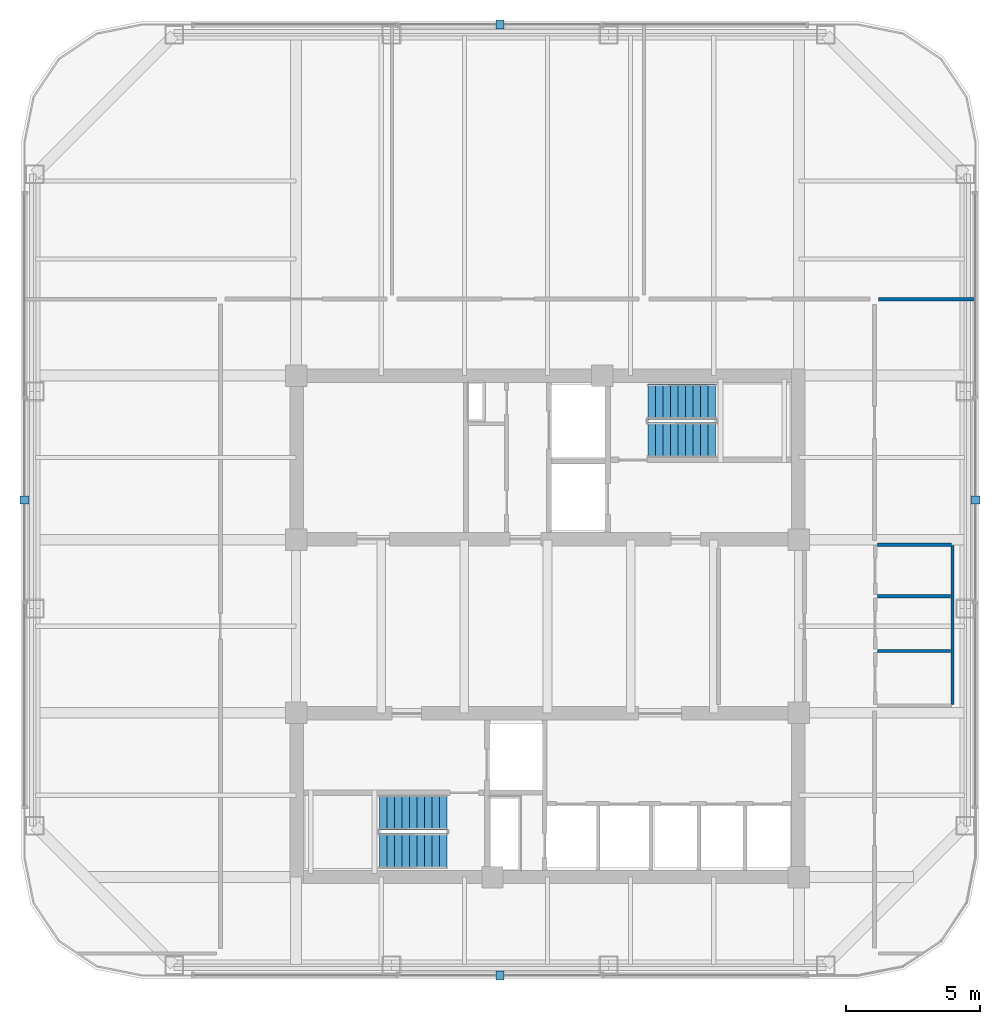
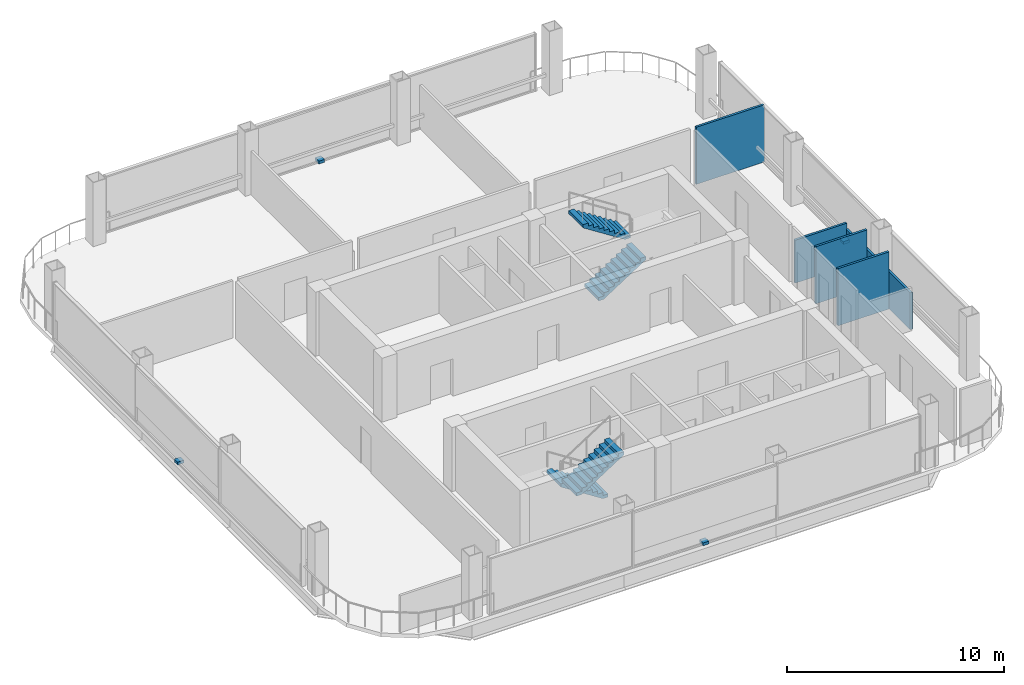
# One storey, part 16 of 19: 5 walls, 4 discrete accessories, 4 stair flights, 2 elements without a shape of their own.
"""IFC4 building model written with IfcOpenShell, lengths in metres."""

from ifc_helpers import new_model, si_unit, direction, frame, frame_2d, origin, origin_2d, place, context, subcontext, project, spatial, polyline, rectangle, outline, extrude, material, layer, layer_set, type_object, element, aggregate, save


model = new_model("IFC4")

# Units and contexts
model_context = context("Model", 3, precision=1e-05, world=origin(), true_north=direction((0.0, 1.0)))
body_context = subcontext(model_context, "Body", "Model", "MODEL_VIEW")
ifc_project = project(units=[si_unit("LENGTHUNIT", "METRE"), si_unit("AREAUNIT", "SQUARE_METRE"), si_unit("VOLUMEUNIT", "CUBIC_METRE"), si_unit("PLANEANGLEUNIT", "RADIAN"), si_unit("MASSUNIT", "GRAM", prefix="KILO")], contexts=[model_context])

# Site, building, storey
site_placement = place(None, origin())
site = spatial("IfcSite", under=ifc_project, at=site_placement, CompositionType="ELEMENT")
building_placement = place(site_placement, origin())
building = spatial("IfcBuilding", under=site, at=building_placement, Name="Qhalaya Broadcast Tower", CompositionType="ELEMENT")
storey_placement = place(building_placement, frame((0.0, 0.0, 148.199951171875)))
storey = spatial("IfcBuildingStorey", under=building, at=storey_placement, Name="L43", CompositionType="ELEMENT", Elevation=148.199951171875)

# Walls
ifc_material_1 = material(Name="Gypsum Acoustic Partition")
ifc_layer = layer(ifc_material_1, 0.1201171875, Name="Gypsum Acoustic Partition")
ifc_layer_set = layer_set([ifc_layer], Name="Gypsum Acoustic Partition")
wall_type = type_object("IfcWallType", Name="Office, Booth & Sanitary Partition 120", PredefinedType="PARTITIONING", material=ifc_layer_set)
wall_1_placement = place(storey_placement, frame((15.10009765625, -2.320068359375, 0.0), z_axis=(0.0, 0.0, 1.0), x_axis=(0.0, 1.0, 0.0)))
element("IfcWall", 1, at=wall_1_placement, inside=storey, type_object=wall_type, Name="L43 Partition Wall W-WCE", PredefinedType="PARTITIONING", context=body_context, shape_type="SweptSolid", body=[
    extrude(rectangle(XDim=5.93017578125, YDim=0.1201171875, at=frame_2d((2.965087890625, 0.0))), origin(), (0.0, 0.0, 1.0), 2.08203125),
])
wall_2_placement = place(storey_placement, frame((12.31005859375, 3.639892578125, 0.0), z_axis=(0.0, 0.0, 1.0), x_axis=(1.0, 0.0, 0.0)))
element("IfcWall", 2, at=wall_2_placement, inside=storey, type_object=wall_type, Name="L43 Partition Wall W-WCN", PredefinedType="PARTITIONING", context=body_context, shape_type="SweptSolid", body=[
    extrude(rectangle(XDim=2.760009765625, YDim=0.1201171875, at=frame_2d((1.3798828125, 0.0))), origin(), (0.0, 0.0, 1.0), 2.420166015625),
])
for number, where, z_axis, x_axis, name in (
    (3, (12.31005859375, -0.320068359375, 0.0), (0.0, 0.0, 1.0), (1.0, 0.0, 0.0), "L43 Partition Wall W-WCD1"),
    (4, (12.31005859375, 1.719970703125, 0.0), (0.0, 0.0, 1.0), (1.0, 0.0, 0.0), "L43 Partition Wall W-WCD2"),
):
    element("IfcWall", number, at=place(storey_placement, frame(where, z_axis=z_axis, x_axis=x_axis)), inside=storey, type_object=wall_type, Name=name, PredefinedType="PARTITIONING", context=body_context, shape_type="SweptSolid", body=[
        extrude(rectangle(XDim=2.719970703125, YDim=0.1201171875, at=frame_2d((1.35986328125, 0.0))), origin(), (0.0, 0.0, 1.0), 3.219970703125),
    ])
wall_3_placement = place(storey_placement, frame((12.340087890625, 12.800048828125, 0.0), z_axis=(0.0, 0.0, 1.0), x_axis=(1.0, 0.0, 0.0)))
element("IfcWall", 5, at=wall_3_placement, inside=storey, type_object=wall_type, Name="L43 Partition Wall W-BNDE1", PredefinedType="PARTITIONING", context=body_context, shape_type="SweptSolid", body=[
    extrude(rectangle(XDim=3.619873046875, YDim=0.1201171875, at=frame_2d((1.81005859375, 0.0))), origin(), (0.0, 0.0, 1.0), 3.219970703125),
])

# Stair, stair flights
ifc_material_2 = material(Name="Concrete C40/50", Category="concrete")
stair_type = type_object("IfcStairType", Name="Protected Dogleg Core Stair 3600", PredefinedType="TWO_STRAIGHT_RUN_STAIR", material=ifc_material_2)
stair_1_placement = place(storey_placement, origin())
stair_1 = element("IfcStair", 6, at=stair_1_placement, inside=storey, type_object=stair_type, Name="L43 North Core Exit Stair ST-1", PredefinedType="TWO_STRAIGHT_RUN_STAIR")
ifc_material_3 = material(Name="Precast Concrete C40/50", Category="concrete")
stair_flight_type = type_object("IfcStairFlightType", Name="Precast Concrete Stair Flight 3600", PredefinedType="STRAIGHT", material=ifc_material_3)
stair_flight_1_placement = place(storey_placement, frame((3.75, 7.5400390625, 0.0), z_axis=(0.0, 0.0, 1.0), x_axis=(1.0, 0.0, 0.0)))
stair_flight_1 = element("IfcStairFlight", 7, at=stair_flight_1_placement, type_object=stair_flight_type, Name="ST-1 flight 1", NumberOfRisers=10, NumberOfTreads=9, PredefinedType="STRAIGHT", RiserHeight=0.18, TreadLength=0.28, context=body_context, shape_type="SweptSolid", body=[
    extrude(outline(polyline([(0.0, 0.0), (0.0, 0.179931640625), (0.280029296875, 0.179931640625), (0.280029296875, 0.360107421875), (0.56005859375, 0.360107421875), (0.56005859375, 0.5400390625), (0.840087890625, 0.5400390625), (0.840087890625, 0.719970703125), (1.1201171875, 0.719970703125), (1.1201171875, 0.89990234375), (1.39990234375, 0.89990234375), (1.39990234375, 1.080078125), (1.679931640625, 1.080078125), (1.679931640625, 1.260009765625), (1.9599609375, 1.260009765625), (1.9599609375, 1.43994140625), (2.239990234375, 1.43994140625), (2.239990234375, 1.6201171875), (2.52001953125, 1.6201171875), (2.52001953125, 1.800048828125), (2.52001953125, 1.44189453125), (0.277099609375, 0.0), (0.0, 0.0)])), frame((0.0, 0.66015625, 0.0), z_axis=(0.0, -1.0, 0.0), x_axis=(1.0, 0.0, 0.0)), (0.0, 0.0, 1.0), 1.320068359375),
])
stair_flight_2_placement = place(storey_placement, frame((6.27001953125, 8.97998046875, 1.800048828125), z_axis=(0.0, 0.0, 1.0), x_axis=(-1.0, 0.0, 0.0)))
stair_flight_2 = element("IfcStairFlight", 8, at=stair_flight_2_placement, type_object=stair_flight_type, Name="ST-1 flight 2", NumberOfRisers=10, NumberOfTreads=9, PredefinedType="STRAIGHT", RiserHeight=0.18, TreadLength=0.28, context=body_context, shape_type="SweptSolid", body=[
    extrude(outline(polyline([(0.0, 0.0), (0.0, 0.179931640625), (0.280029296875, 0.179931640625), (0.280029296875, 0.360107421875), (0.56005859375, 0.360107421875), (0.56005859375, 0.5400390625), (0.840087890625, 0.5400390625), (0.840087890625, 0.719970703125), (1.1201171875, 0.719970703125), (1.1201171875, 0.89990234375), (1.39990234375, 0.89990234375), (1.39990234375, 1.080078125), (1.679931640625, 1.080078125), (1.679931640625, 1.260009765625), (1.9599609375, 1.260009765625), (1.9599609375, 1.43994140625), (2.239990234375, 1.43994140625), (2.239990234375, 1.6201171875), (2.52001953125, 1.6201171875), (2.52001953125, 1.800048828125), (2.52001953125, 1.44189453125), (0.277099609375, 0.0), (0.0, 0.0)])), frame((0.0, 0.66015625, 0.0), z_axis=(0.0, -1.0, 0.0), x_axis=(1.0, 0.0, 0.0)), (0.0, 0.0, 1.0), 1.320068359375),
])
aggregate(stair_1, [stair_flight_1, stair_flight_2])

stair_2_placement = place(storey_placement, origin())
stair_2 = element("IfcStair", 9, at=stair_2_placement, inside=storey, type_object=stair_type, Name="L43 South Core Exit Stair ST-2", PredefinedType="TWO_STRAIGHT_RUN_STAIR")
stair_flight_3_placement = place(storey_placement, frame((-3.75, -6.340087890625, 0.0), z_axis=(0.0, 0.0, 1.0), x_axis=(-1.0, 0.0, 0.0)))
stair_flight_3 = element("IfcStairFlight", 10, at=stair_flight_3_placement, type_object=stair_flight_type, Name="ST-2 flight 1", NumberOfRisers=10, NumberOfTreads=9, PredefinedType="STRAIGHT", RiserHeight=0.18, TreadLength=0.28, context=body_context, shape_type="SweptSolid", body=[
    extrude(outline(polyline([(0.0, 0.0), (0.0, 0.179931640625), (0.280029296875, 0.179931640625), (0.280029296875, 0.360107421875), (0.56005859375, 0.360107421875), (0.56005859375, 0.5400390625), (0.840087890625, 0.5400390625), (0.840087890625, 0.719970703125), (1.1201171875, 0.719970703125), (1.1201171875, 0.89990234375), (1.39990234375, 0.89990234375), (1.39990234375, 1.080078125), (1.679931640625, 1.080078125), (1.679931640625, 1.260009765625), (1.9599609375, 1.260009765625), (1.9599609375, 1.43994140625), (2.239990234375, 1.43994140625), (2.239990234375, 1.6201171875), (2.52001953125, 1.6201171875), (2.52001953125, 1.800048828125), (2.52001953125, 1.44189453125), (0.277099609375, 0.0), (0.0, 0.0)])), frame((0.0, 0.66015625, 0.0), z_axis=(0.0, -1.0, 0.0), x_axis=(1.0, 0.0, 0.0)), (0.0, 0.0, 1.0), 1.320068359375),
])
stair_flight_4_placement = place(storey_placement, frame((-6.27001953125, -7.780029296875, 1.800048828125), z_axis=(0.0, 0.0, 1.0), x_axis=(1.0, 0.0, 0.0)))
stair_flight_4 = element("IfcStairFlight", 11, at=stair_flight_4_placement, type_object=stair_flight_type, Name="ST-2 flight 2", NumberOfRisers=10, NumberOfTreads=9, PredefinedType="STRAIGHT", RiserHeight=0.18, TreadLength=0.28, context=body_context, shape_type="SweptSolid", body=[
    extrude(outline(polyline([(0.0, 0.0), (0.0, 0.179931640625), (0.280029296875, 0.179931640625), (0.280029296875, 0.360107421875), (0.56005859375, 0.360107421875), (0.56005859375, 0.5400390625), (0.840087890625, 0.5400390625), (0.840087890625, 0.719970703125), (1.1201171875, 0.719970703125), (1.1201171875, 0.89990234375), (1.39990234375, 0.89990234375), (1.39990234375, 1.080078125), (1.679931640625, 1.080078125), (1.679931640625, 1.260009765625), (1.9599609375, 1.260009765625), (1.9599609375, 1.43994140625), (2.239990234375, 1.43994140625), (2.239990234375, 1.6201171875), (2.52001953125, 1.6201171875), (2.52001953125, 1.800048828125), (2.52001953125, 1.44189453125), (0.277099609375, 0.0), (0.0, 0.0)])), frame((0.0, 0.66015625, 0.0), z_axis=(0.0, -1.0, 0.0), x_axis=(1.0, 0.0, 0.0)), (0.0, 0.0, 1.0), 1.320068359375),
])
aggregate(stair_2, [stair_flight_3, stair_flight_4])

# Discrete accessories
ifc_material_4 = material(Name="Structural Steel ASTM A572 Grade 50", Category="steel")
discrete_accessory_type = type_object("IfcDiscreteAccessoryType", Name="Facade Baguette Support Bracket BRK-01", PredefinedType="BRACKET", material=ifc_material_4)
for number, where, z_axis, x_axis, name in (
    (12, (-1.77001953125, -12.419921875, 0.0), (0.0, 0.0, 1.0), (1.0, 0.0, 0.0), "L43 Baguette Support Bracket S"),
    (13, (15.9599609375, 5.31005859375, 0.0), (0.0, 0.0, 1.0), (0.0, 1.0, 0.0), "L43 Baguette Support Bracket E"),
    (14, (-1.77001953125, 23.0400390625, 0.0), (0.0, 0.0, 1.0), (-1.0, 0.0, 0.0), "L43 Baguette Support Bracket N"),
    (15, (-19.5, 5.31005859375, 0.0), (0.0, 0.0, 1.0), (0.0, -1.0, 0.0), "L43 Baguette Support Bracket W"),
):
    element("IfcDiscreteAccessory", number, at=place(storey_placement, frame(where, z_axis=z_axis, x_axis=x_axis)), inside=storey, type_object=discrete_accessory_type, Name=name, PredefinedType="BRACKET", context=body_context, shape_type="SweptSolid", body=[
        extrude(rectangle(XDim=0.300048828125, YDim=0.340087890625, at=origin_2d()), origin(), (0.0, 0.0, 1.0), 0.159912109375),
    ])

save(model, "model.ifc")
